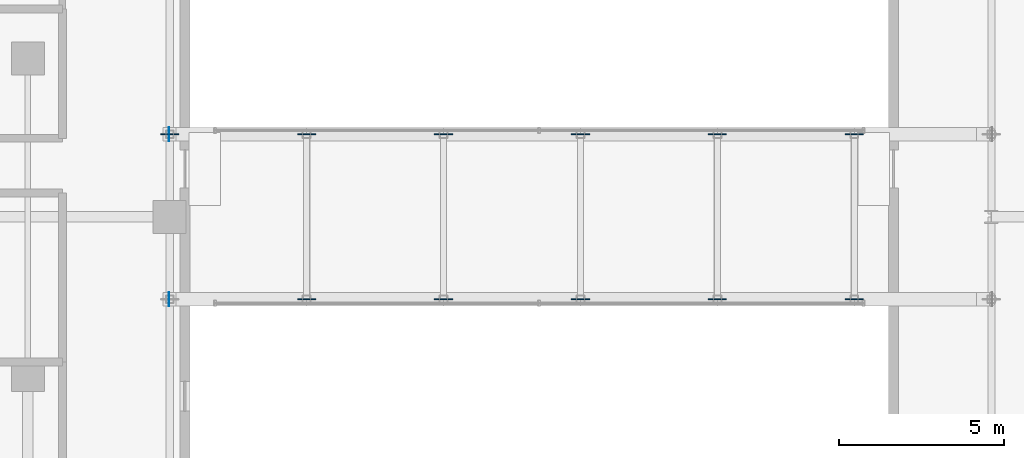
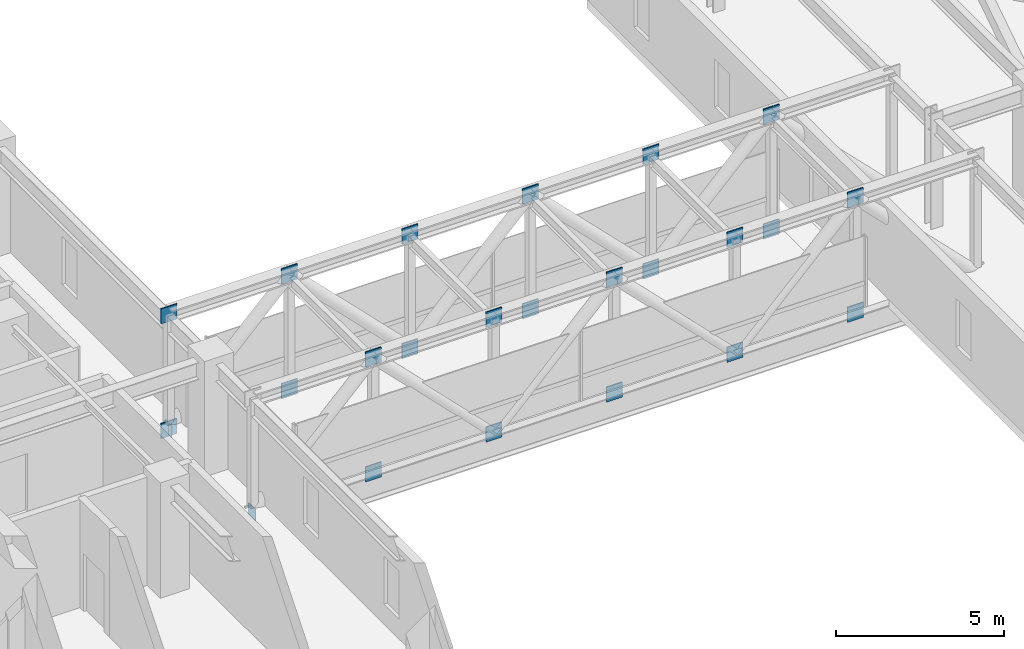
# One storey, part 29 of 42: 24 plates.
"""IFC4 building model written with IfcOpenShell, lengths in metres."""

from ifc_helpers import new_model, si_unit, direction, frame, origin, origin_2d, place, context, subcontext, project, spatial, rectangle, extrude, material, layer, layer_set, type_object, element, save


model = new_model("IFC4")

# Units and contexts
model_context = context("Model", 3, precision=1e-05, world=origin(), true_north=direction((0.0, 1.0)))
body_context = subcontext(model_context, "Body", "Model", "MODEL_VIEW")
ifc_project = project(units=[si_unit("LENGTHUNIT", "METRE"), si_unit("AREAUNIT", "SQUARE_METRE"), si_unit("VOLUMEUNIT", "CUBIC_METRE"), si_unit("PLANEANGLEUNIT", "RADIAN"), si_unit("MASSUNIT", "GRAM", prefix="KILO")], contexts=[model_context])

# Site, building, storey
site_placement = place(None, origin())
site = spatial("IfcSite", under=ifc_project, at=site_placement, CompositionType="ELEMENT")
building_placement = place(site_placement, origin())
building = spatial("IfcBuilding", under=site, at=building_placement, Name="Thornwick Lancets Civic Towers", CompositionType="ELEMENT")
storey_placement = place(building_placement, frame((0.0, 0.0, 221.699951171875)))
storey = spatial("IfcBuildingStorey", under=building, at=storey_placement, Name="L59", CompositionType="ELEMENT", Elevation=221.699951171875)

# Plates
ifc_material_1 = material(Name="Steel S355JR", Category="steel")
ifc_layer_1 = layer(ifc_material_1, 0.02490234375, Name="Steel S355JR")
ifc_layer_set_1 = layer_set([ifc_layer_1], Name="Steel S355JR")
plate_type_1 = type_object("IfcPlateType", Name="PLT_ENDCAP_25", PredefinedType="USERDEFINED", material=ifc_layer_set_1)
for number, where, z_axis, x_axis, name in (
    (1, (42.780029296875, 24.5, -0.429931640625), (0.0, 0.0, 1.0), (1.0, 0.0, 0.0), "L59 Skybridge End Cap 1-W"),
    (2, (42.780029296875, 29.5, -0.429931640625), (0.0, 0.0, 1.0), (1.0, 0.0, 0.0), "L59 Skybridge End Cap 2-W"),
):
    element("IfcPlate", number, at=place(storey_placement, frame(where, z_axis=z_axis, x_axis=x_axis)), inside=storey, type_object=plate_type_1, Name=name, ObjectType="END_CAP_PLATE", PredefinedType="USERDEFINED", context=body_context, shape_type="SweptSolid", body=[
        extrude(rectangle(XDim=0.02490234375, YDim=0.419921875, at=origin_2d()), origin(), (0.0, 0.0, 1.0), 0.419921875),
    ])
ifc_material_2 = material(Name="Steel S460M", Category="steel")
ifc_layer_2 = layer(ifc_material_2, 0.0400390625, Name="Steel S460M")
ifc_layer_set_2 = layer_set([ifc_layer_2], Name="Steel S460M")
plate_type_2 = type_object("IfcPlateType", Name="PLT_GUSSET_40", PredefinedType="USERDEFINED", material=ifc_layer_set_2)
for number, where, z_axis, x_axis, name in (
    (3, (46.949951171875, 24.5, -0.4951171875), (0.0, 0.0, 1.0), (1.0, 0.0, 0.0), "L59 Brace Connection Gusset Plate 0313"),
    (4, (46.949951171875, 24.5, 3.68505859375), (0.0, 0.0, 1.0), (1.0, 0.0, 0.0), "L59 Brace Connection Gusset Plate 0314"),
    (5, (51.10009765625, 24.5, -0.4951171875), (0.0, 0.0, 1.0), (1.0, 0.0, 0.0), "L59 Brace Connection Gusset Plate 0315"),
    (6, (51.10009765625, 24.5, 3.68505859375), (0.0, 0.0, 1.0), (1.0, 0.0, 0.0), "L59 Brace Connection Gusset Plate 0316"),
    (7, (55.25, 24.5, -0.4951171875), (0.0, 0.0, 1.0), (1.0, 0.0, 0.0), "L59 Brace Connection Gusset Plate 0317"),
    (8, (55.25, 24.5, 3.68505859375), (0.0, 0.0, 1.0), (1.0, 0.0, 0.0), "L59 Brace Connection Gusset Plate 0318"),
    (9, (59.39990234375, 24.5, -0.4951171875), (0.0, 0.0, 1.0), (1.0, 0.0, 0.0), "L59 Brace Connection Gusset Plate 0319"),
    (10, (59.39990234375, 24.5, 3.68505859375), (0.0, 0.0, 1.0), (1.0, 0.0, 0.0), "L59 Brace Connection Gusset Plate 0320"),
    (11, (63.550048828125, 24.5, -0.4951171875), (0.0, 0.0, 1.0), (1.0, 0.0, 0.0), "L59 Brace Connection Gusset Plate 0321"),
    (12, (63.550048828125, 24.5, 3.68505859375), (0.0, 0.0, 1.0), (1.0, 0.0, 0.0), "L59 Brace Connection Gusset Plate 0322"),
    (13, (42.800048828125, 29.5, -0.4951171875), (0.0, 0.0, 1.0), (1.0, 0.0, 0.0), "L59 Brace Connection Gusset Plate 0325"),
    (14, (42.800048828125, 29.5, 3.68505859375), (0.0, 0.0, 1.0), (1.0, 0.0, 0.0), "L59 Brace Connection Gusset Plate 0326"),
    (15, (46.949951171875, 29.5, -0.4951171875), (0.0, 0.0, 1.0), (1.0, 0.0, 0.0), "L59 Brace Connection Gusset Plate 0327"),
    (16, (46.949951171875, 29.5, 3.68505859375), (0.0, 0.0, 1.0), (1.0, 0.0, 0.0), "L59 Brace Connection Gusset Plate 0328"),
    (17, (51.10009765625, 29.5, -0.4951171875), (0.0, 0.0, 1.0), (1.0, 0.0, 0.0), "L59 Brace Connection Gusset Plate 0329"),
    (18, (51.10009765625, 29.5, 3.68505859375), (0.0, 0.0, 1.0), (1.0, 0.0, 0.0), "L59 Brace Connection Gusset Plate 0330"),
    (19, (55.25, 29.5, -0.4951171875), (0.0, 0.0, 1.0), (1.0, 0.0, 0.0), "L59 Brace Connection Gusset Plate 0331"),
    (20, (55.25, 29.5, 3.68505859375), (0.0, 0.0, 1.0), (1.0, 0.0, 0.0), "L59 Brace Connection Gusset Plate 0332"),
    (21, (59.39990234375, 29.5, -0.4951171875), (0.0, 0.0, 1.0), (1.0, 0.0, 0.0), "L59 Brace Connection Gusset Plate 0333"),
    (22, (59.39990234375, 29.5, 3.68505859375), (0.0, 0.0, 1.0), (1.0, 0.0, 0.0), "L59 Brace Connection Gusset Plate 0334"),
    (23, (63.550048828125, 29.5, -0.4951171875), (0.0, 0.0, 1.0), (1.0, 0.0, 0.0), "L59 Brace Connection Gusset Plate 0335"),
    (24, (63.550048828125, 29.5, 3.68505859375), (0.0, 0.0, 1.0), (1.0, 0.0, 0.0), "L59 Brace Connection Gusset Plate 0336"),
):
    element("IfcPlate", number, at=place(storey_placement, frame(where, z_axis=z_axis, x_axis=x_axis)), inside=storey, type_object=plate_type_2, Name=name, ObjectType="GUSSET_PLATE", PredefinedType="USERDEFINED", context=body_context, shape_type="SweptSolid", body=[
        extrude(rectangle(XDim=0.550048828125, YDim=0.0400390625, at=origin_2d()), origin(), (0.0, 0.0, 1.0), 0.550048828125),
    ])

save(model, "model.ifc")
